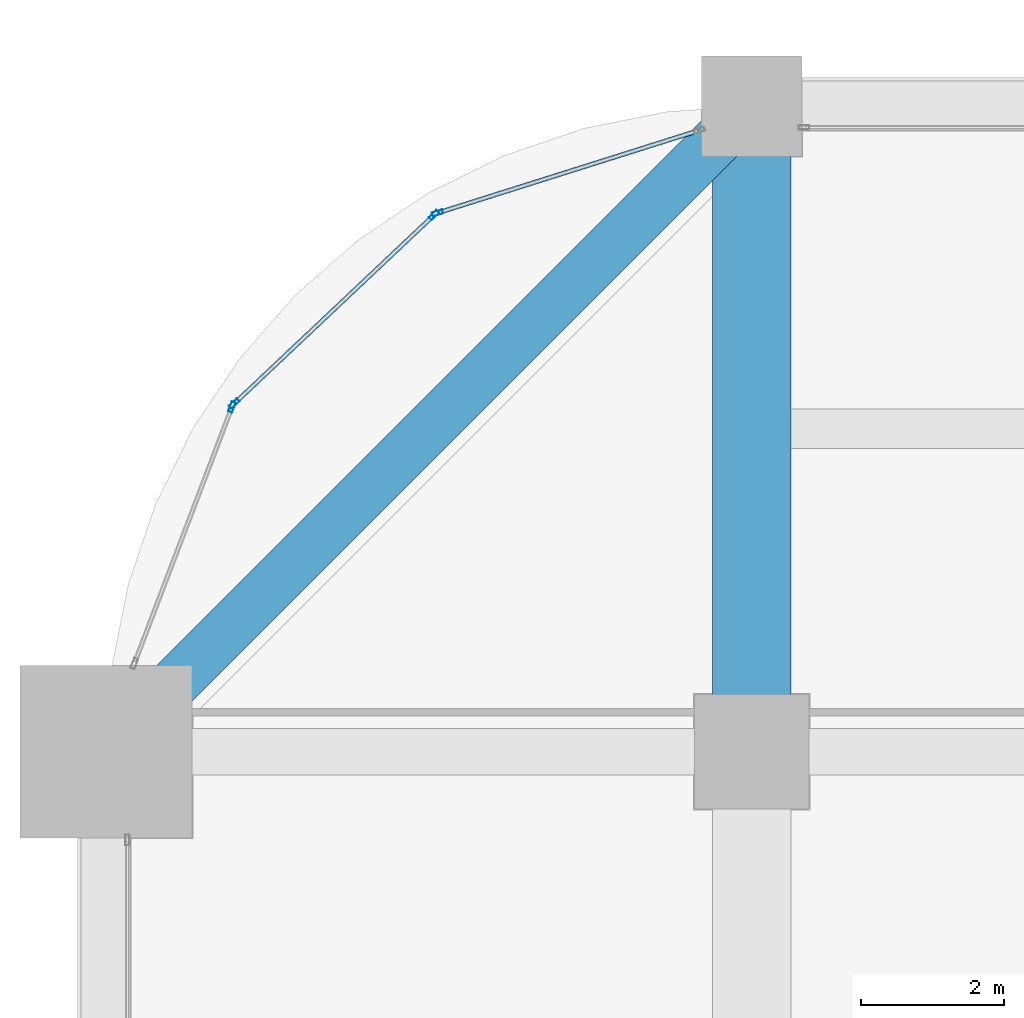
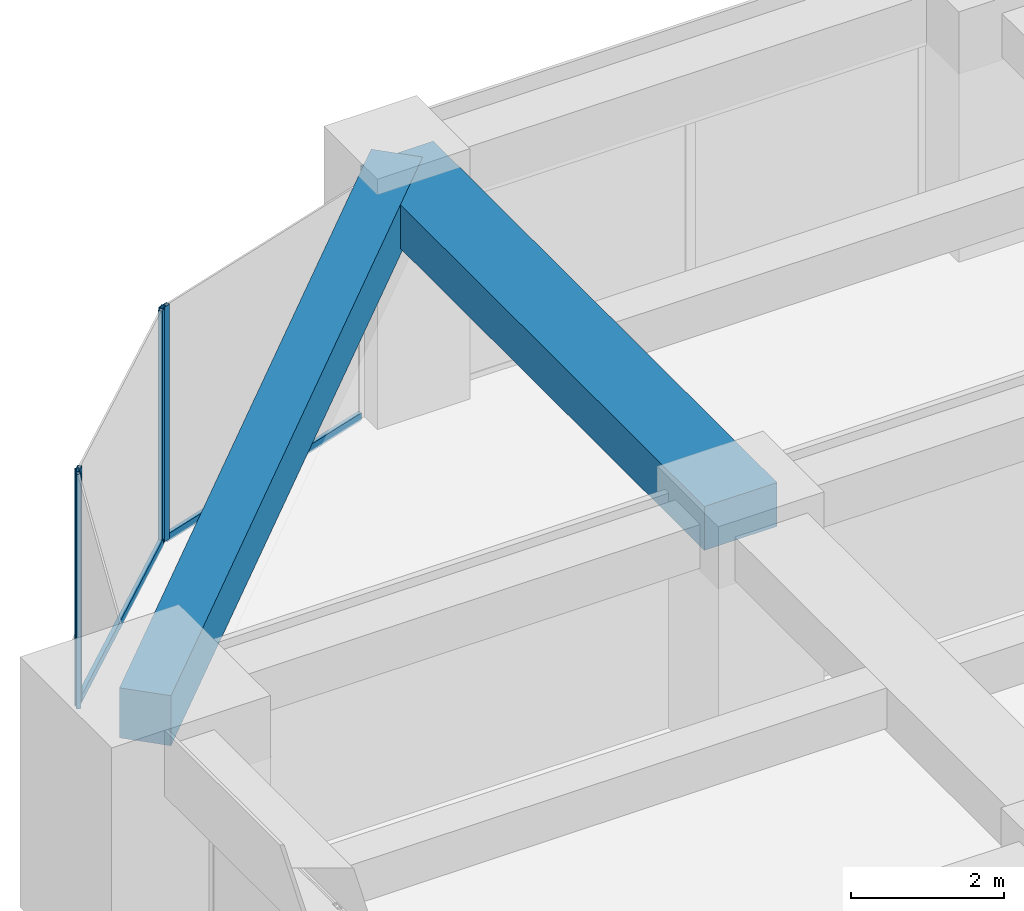
# One storey, part 22 of 34: 6 members, 2 beams, 3 elements without a shape of their own.
"""IFC4 building model written with IfcOpenShell, lengths in metres."""

from ifc_helpers import new_model, si_unit, direction, frame, origin, origin_2d, place, context, subcontext, project, spatial, rectangle, hollow_rectangle, extrude, material, material_profile, profile_set, type_object, element, aggregate, save


model = new_model("IFC4")

# Units and contexts
model_context = context("Model", 3, precision=1e-05, world=origin(), true_north=direction((0.0, 1.0)))
body_context = subcontext(model_context, "Body", "Model", "MODEL_VIEW")
ifc_project = project(units=[si_unit("LENGTHUNIT", "METRE"), si_unit("AREAUNIT", "SQUARE_METRE"), si_unit("VOLUMEUNIT", "CUBIC_METRE"), si_unit("PLANEANGLEUNIT", "RADIAN"), si_unit("MASSUNIT", "GRAM", prefix="KILO")], contexts=[model_context])

# Site, building, storey
site_placement = place(None, origin())
site = spatial("IfcSite", under=ifc_project, at=site_placement, CompositionType="ELEMENT")
building_placement = place(site_placement, origin())
building = spatial("IfcBuilding", under=site, at=building_placement, Name="Zorevar Civic Tower", CompositionType="ELEMENT")
storey_placement = place(building_placement, frame((0.0, 0.0, 174.199951171875)))
storey = spatial("IfcBuildingStorey", under=building, at=storey_placement, Name="L42", CompositionType="ELEMENT", Elevation=174.199951171875)

# Beam
ifc_material_1 = material(Name="Concrete C50/60", Category="concrete")
ifc_material_profile_1 = material_profile(ifc_material_1, rectangle(XDim=1.10009765625, YDim=0.699951171875, at=origin_2d()), Name="RC 1100x700")
ifc_profile_set_1 = profile_set([ifc_material_profile_1], Name="Concrete C50/60")
beam_type_1 = type_object("IfcBeamType", Name="Beam RC 1100x700", PredefinedType="BEAM", material=ifc_profile_set_1)
beam_1_placement = place(storey_placement, frame((9.0, 36.0, 3.400146484375), z_axis=(0.0, 1.0, 0.0), x_axis=(-1.0, 0.0, 0.0)))
element("IfcBeam", 1, at=beam_1_placement, inside=storey, type_object=beam_type_1, Name="Girder L43", PredefinedType="BEAM", context=body_context, shape_type="SweptSolid", body=[
    extrude(rectangle(XDim=1.10009765625, YDim=0.699951171875, at=origin_2d()), origin(), (0.0, 0.0, 1.0), 9.0),
])

# Curtain wall, member
ifc_material_2 = material(Name="Dark grey solar-control glass in black aluminium frame", Category="aluminium")
curtain_wall_type = type_object("IfcCurtainWallType", Name="Curtain wall CW4 high zone", PredefinedType="NOTDEFINED", material=ifc_material_2)
curtain_wall_1_placement = place(storey_placement, origin())
curtain_wall_1 = element("IfcCurtainWall", 2, at=curtain_wall_1_placement, inside=storey, type_object=curtain_wall_type, Name="CW4 L42", PredefinedType="NOTDEFINED")
ifc_material_3 = material(Name="Aluminium, black anodised", Category="aluminium")
ifc_material_profile_2 = material_profile(ifc_material_3, hollow_rectangle(XDim=0.06005859375, YDim=0.14990234375, WallThickness=0.00390625, at=origin_2d()), Name="AL 150x60x4")
ifc_profile_set_2 = profile_set([ifc_material_profile_2], Name="Aluminium, black anodised")
member_type_1 = type_object("IfcMemberType", Name="CW4 mullion AL 150x60x4", PredefinedType="MULLION", material=ifc_profile_set_2)
member_1_placement = place(storey_placement, frame((4.62158203125, 43.51025390625, 0.0), z_axis=(0.0, 0.0, 1.0), x_axis=(0.301108296077, -0.953589950678, 0.0)))
member_1 = element("IfcMember", 3, at=member_1_placement, type_object=member_type_1, Name="CW4 mullion 2", PredefinedType="MULLION", context=body_context, shape_type="SweptSolid", body=[
    extrude(hollow_rectangle(XDim=0.06005859375, YDim=0.14990234375, WallThickness=0.00390625, at=origin_2d()), origin(), (0.0, 0.0, 1.0), 3.75),
])

# Curtain wall, members
curtain_wall_2_placement = place(storey_placement, origin())
curtain_wall_2 = element("IfcCurtainWall", 4, at=curtain_wall_2_placement, inside=storey, type_object=curtain_wall_type, Name="CW4 L42", PredefinedType="NOTDEFINED")
member_2_placement = place(storey_placement, frame((4.5712890625, 43.480712890625, 0.0), z_axis=(0.0, 0.0, 1.0), x_axis=(0.686377907265, -0.727245053898, 0.0)))
member_2 = element("IfcMember", 5, at=member_2_placement, type_object=member_type_1, Name="CW4 mullion 1", PredefinedType="MULLION", context=body_context, shape_type="SweptSolid", body=[
    extrude(hollow_rectangle(XDim=0.06005859375, YDim=0.14990234375, WallThickness=0.00390625, at=origin_2d()), origin(), (0.0, 0.0, 1.0), 3.75),
])
member_3_placement = place(storey_placement, frame((1.787841796875, 40.853759765625, 0.0), z_axis=(0.0, 0.0, 1.0), x_axis=(0.686377907265, -0.727245053898, 0.0)))
member_3 = element("IfcMember", 6, at=member_3_placement, type_object=member_type_1, Name="CW4 mullion 2", PredefinedType="MULLION", context=body_context, shape_type="SweptSolid", body=[
    extrude(hollow_rectangle(XDim=0.06005859375, YDim=0.14990234375, WallThickness=0.00390625, at=origin_2d()), origin(), (0.0, 0.0, 1.0), 3.75),
])

# Curtain wall, member
curtain_wall_3_placement = place(storey_placement, origin())
curtain_wall_3 = element("IfcCurtainWall", 7, at=curtain_wall_3_placement, inside=storey, type_object=curtain_wall_type, Name="CW4 L42", PredefinedType="NOTDEFINED")
member_4_placement = place(storey_placement, frame((1.75537109375, 40.804931640625, 0.0), z_axis=(0.0, 0.0, 1.0), x_axis=(0.93458842801, -0.355730895803, 0.0)))
member_4 = element("IfcMember", 8, at=member_4_placement, type_object=member_type_1, Name="CW4 mullion 1", PredefinedType="MULLION", context=body_context, shape_type="SweptSolid", body=[
    extrude(hollow_rectangle(XDim=0.06005859375, YDim=0.14990234375, WallThickness=0.00390625, at=origin_2d()), origin(), (0.0, 0.0, 1.0), 3.75),
])
aggregate(curtain_wall_3, [member_4])

# Member
ifc_material_4 = material(Name="Aluminium, black anodised", Category="aluminium")
ifc_material_profile_3 = material_profile(ifc_material_4, hollow_rectangle(XDim=0.06005859375, YDim=0.1201171875, WallThickness=0.0029296875, at=origin_2d()), Name="AL 120x60x3")
ifc_profile_set_3 = profile_set([ifc_material_profile_3], Name="Aluminium, black anodised")
member_type_2 = type_object("IfcMemberType", Name="CW4 transom AL 120x60x3", PredefinedType="USERDEFINED", material=ifc_profile_set_3)
member_5_placement = place(storey_placement, frame((8.24267578125, 44.653564453125, 0.030029296875), z_axis=(-0.953592459367, -0.301100351109, 0.0), x_axis=(0.301100351109, -0.953592459367, 0.0)))
member_5 = element("IfcMember", 9, at=member_5_placement, type_object=member_type_2, Name="CW4 sill transom", ObjectType="TRANSOM", PredefinedType="USERDEFINED", context=body_context, shape_type="SweptSolid", body=[
    extrude(hollow_rectangle(XDim=0.06005859375, YDim=0.1201171875, WallThickness=0.0029296875, at=origin_2d()), origin(), (0.0, 0.0, 1.0), 3.76708984375),
])

aggregate(curtain_wall_1, [member_1, member_5])

member_6_placement = place(storey_placement, frame((4.549560546875, 43.4599609375, 0.030029296875), z_axis=(-0.727288059227, -0.686332338526, 0.0), x_axis=(0.686332338526, -0.727288059227, 0.0)))
member_6 = element("IfcMember", 10, at=member_6_placement, type_object=member_type_2, Name="CW4 sill transom", ObjectType="TRANSOM", PredefinedType="USERDEFINED", context=body_context, shape_type="SweptSolid", body=[
    extrude(hollow_rectangle(XDim=0.06005859375, YDim=0.1201171875, WallThickness=0.0029296875, at=origin_2d()), origin(), (0.0, 0.0, 1.0), 3.767333984375),
])

aggregate(curtain_wall_2, [member_2, member_3, member_6])

# Beam
ifc_material_5 = material(Name="Concrete C50/60", Category="concrete")
ifc_material_profile_4 = material_profile(ifc_material_5, rectangle(XDim=0.699951171875, YDim=0.800048828125, at=origin_2d()), Name="RC 700x800")
ifc_profile_set_4 = profile_set([ifc_material_profile_4], Name="Concrete C50/60")
beam_type_2 = type_object("IfcBeamType", Name="Edge beam RC 700x800", PredefinedType="SPANDREL", material=ifc_profile_set_4)
beam_2_placement = place(storey_placement, frame((9.0, 45.0, 3.35009765625), z_axis=(-0.707106781187, -0.707106781187, 0.0), x_axis=(0.707106781187, -0.707106781187, 0.0)))
element("IfcBeam", 11, at=beam_2_placement, inside=storey, type_object=beam_type_2, Name="Corner edge beam L43", PredefinedType="SPANDREL", context=body_context, shape_type="SweptSolid", body=[
    extrude(rectangle(XDim=0.699951171875, YDim=0.800048828125, at=origin_2d()), origin(), (0.0, 0.0, 1.0), 12.72802734375),
])

save(model, "model.ifc")
